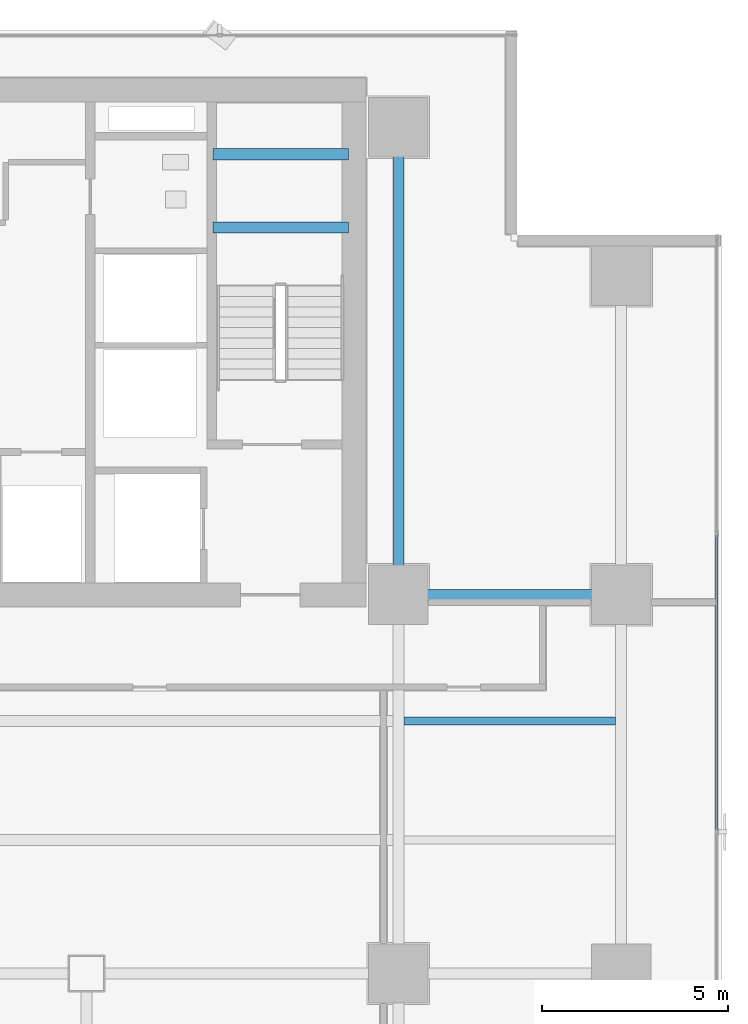
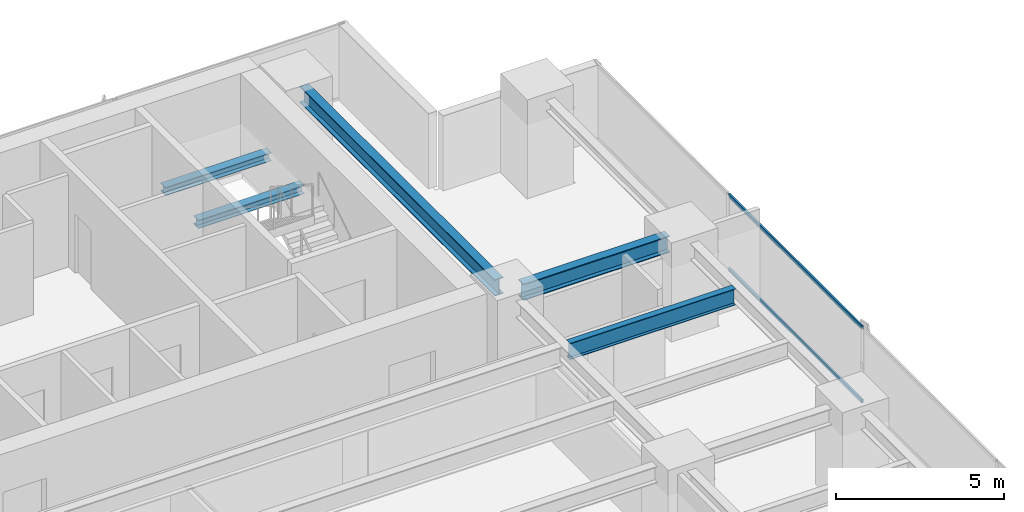
# One storey, part 22 of 34: 5 beams, 2 members, 1 element without a shape of its own.
"""IFC4 building model written with IfcOpenShell, lengths in metres."""

import ifcopenshell
import ifcopenshell.guid

model = None  # the IFC model being written
_history = None  # IfcOwnerHistory: only IFC2X3 demands one
_inside = {}  # id of a spatial element -> (the spatial element, [elements in it])
_under = {}  # id of a project, library or spatial element -> (it, [spatial elements below it])
_declared = {}  # id of a project -> (the project, [libraries it declares])
_typed = {}  # id of a type object -> (the type object, [elements of that type])
_made_of = {}  # id of a material, layer set ... -> (it, [elements and type objects made of it])


def new_model(schema):
    """Start an empty IFC model of exactly this schema.

    Asked for "IFC4X3", IfcOpenShell would pick the latest addendum, in which some entities
    have other attributes; the version numbers below select the first issue.
    IFC2X3 requires an IfcOwnerHistory on every rooted entity: one is made here for all.
    """
    global model, _history
    if schema == "IFC4X3":
        model = ifcopenshell.file(schema_version=(4, 3, 0, 0))
    else:
        model = ifcopenshell.file(schema=schema)
    _inside.clear()
    _under.clear()
    _declared.clear()
    _typed.clear()
    _made_of.clear()
    _history = None
    if model.schema == "IFC2X3":
        org = make("IfcOrganization", Name="unknown")
        user = make(
            "IfcPersonAndOrganization",
            ThePerson=make("IfcPerson", FamilyName="unknown"),
            TheOrganization=org,
        )
        app = make(
            "IfcApplication",
            ApplicationDeveloper=org,
            Version="unknown",
            ApplicationFullName="unknown",
            ApplicationIdentifier="unknown",
        )
        _history = make(
            "IfcOwnerHistory",
            OwningUser=user,
            OwningApplication=app,
            ChangeAction="ADDED",
            CreationDate=0,
        )
    return model


def make(cls, **values):
    """One entity of the class cls with the attributes given. An attribute that is None is left unset."""
    return model.create_entity(
        cls, **{name: value for name, value in values.items() if value is not None}
    )


def rooted(cls, **values):
    """An entity with a GlobalId (a new one), such as an element, a storey or a relation."""
    return make(cls, GlobalId=ifcopenshell.guid.new(), OwnerHistory=_history, **values)


def si_unit(unit_type, name, prefix=None):
    """IfcSIUnit, for example si_unit("LENGTHUNIT", "METRE", prefix="MILLI")."""
    return make("IfcSIUnit", UnitType=unit_type, Prefix=prefix, Name=name)


def assignment(units):
    """IfcUnitAssignment: the units of a project."""
    return None if units is None else make("IfcUnitAssignment", Units=units)


def point(xyz):
    """IfcCartesianPoint."""
    return None if xyz is None else make("IfcCartesianPoint", Coordinates=xyz)


def direction(xyz):
    """IfcDirection."""
    return None if xyz is None else make("IfcDirection", DirectionRatios=xyz)


def frame(location, z_axis=None, x_axis=None):
    """IfcAxis2Placement3D, a coordinate frame: its origin and axes. An axis left out is left unset."""
    return make(
        "IfcAxis2Placement3D",
        Location=point(location),
        Axis=direction(z_axis),
        RefDirection=direction(x_axis),
    )


def frame_2d(location, x_axis=None):
    """IfcAxis2Placement2D, a coordinate frame in the plane: its origin and x axis."""
    return make(
        "IfcAxis2Placement2D", Location=point(location), RefDirection=direction(x_axis)
    )


def origin():
    """The frame at (0, 0, 0) with its axes left unset."""
    return frame((0.0, 0.0, 0.0))


def origin_2d():
    """The frame at (0, 0) in the plane with its x axis left unset."""
    return frame_2d((0.0, 0.0))


def place(relative_to, where):
    """IfcLocalPlacement: puts the frame where relative to a parent placement (None: the world)."""
    return make(
        "IfcLocalPlacement", PlacementRelTo=relative_to, RelativePlacement=where
    )


def context(
    kind, dimensions, precision=None, world=None, true_north=None, identifier=None
):
    """IfcGeometricRepresentationContext, for example the 3D "Model" context."""
    return make(
        "IfcGeometricRepresentationContext",
        ContextIdentifier=identifier,
        ContextType=kind,
        CoordinateSpaceDimension=dimensions,
        Precision=precision,
        WorldCoordinateSystem=world,
        TrueNorth=true_north,
    )


def subcontext(parent, identifier, kind, view, scale=None):
    """IfcGeometricRepresentationSubContext, for example "Body" below "Model"."""
    return make(
        "IfcGeometricRepresentationSubContext",
        ContextIdentifier=identifier,
        ContextType=kind,
        ParentContext=parent,
        TargetScale=scale,
        TargetView=view,
    )


def project(units=None, contexts=None):
    """IfcProject with its units and contexts."""
    return rooted(
        "IfcProject",
        Name="project",
        RepresentationContexts=contexts,
        UnitsInContext=assignment(units),
    )


def spatial(cls, under=None, at=None, **own):
    """A site, building, storey or space (cls), placed at a placement, below another one or the project."""
    s = rooted(cls, ObjectPlacement=at, **own)
    if under is not None:
        _under.setdefault(under.id(), (under, []))[1].append(s)
    return s


def profile(cls, at=None, kind="AREA", **sizes):
    """A parametric profile (cls). Its sizes go by their IFC names, for example OverallWidth=200.0."""
    return make(cls, ProfileType=kind, Position=at, **sizes)


def hollow_rectangle(**sizes):
    """IfcRectangleHollowProfileDef."""
    return profile("IfcRectangleHollowProfileDef", **sizes)


def i_section(**sizes):
    """IfcIShapeProfileDef."""
    return profile("IfcIShapeProfileDef", **sizes)


def extrude(swept, where, along, depth):
    """IfcExtrudedAreaSolid: the profile swept, set in the frame where, extruded along a direction by depth."""
    return make(
        "IfcExtrudedAreaSolid",
        SweptArea=swept,
        Position=where,
        ExtrudedDirection=direction(along),
        Depth=depth,
    )


def shape(context_of_items, identifier, shape_type, items):
    """IfcShapeRepresentation: the items that make up one representation, for example the "Body"."""
    return make(
        "IfcShapeRepresentation",
        ContextOfItems=context_of_items,
        RepresentationIdentifier=identifier,
        RepresentationType=shape_type,
        Items=items,
    )


def source(mapping_origin, context_of_items, identifier, shape_type, items):
    """IfcRepresentationMap: a shape defined once, which mapped items show again and again."""
    return make(
        "IfcRepresentationMap",
        MappingOrigin=mapping_origin,
        MappedRepresentation=shape(context_of_items, identifier, shape_type, items),
    )


def transform(
    local_origin,
    x_axis=None,
    y_axis=None,
    z_axis=None,
    scale=None,
    scale2=None,
    scale3=None,
    uniform=True,
):
    """IfcCartesianTransformationOperator3D, or its non-uniform kind. x_axis, y_axis, z_axis: its Axis1, 2, 3."""
    if uniform:
        return make(
            "IfcCartesianTransformationOperator3D",
            Axis1=direction(x_axis),
            Axis2=direction(y_axis),
            LocalOrigin=point(local_origin),
            Scale=scale,
            Axis3=direction(z_axis),
        )
    return make(
        "IfcCartesianTransformationOperator3DnonUniform",
        Axis1=direction(x_axis),
        Axis2=direction(y_axis),
        LocalOrigin=point(local_origin),
        Scale=scale,
        Axis3=direction(z_axis),
        Scale2=scale2,
        Scale3=scale3,
    )


def mapped(mapping_source, mapping_target):
    """IfcMappedItem: shows the shape of a source again, moved by a transform."""
    return make(
        "IfcMappedItem", MappingSource=mapping_source, MappingTarget=mapping_target
    )


def material(Name=None, Category=None):
    """IfcMaterial."""
    return make("IfcMaterial", Name=Name, Category=Category)


def layer(
    of_material, thickness, ventilated=None, Name=None, Category=None, Priority=None
):
    """IfcMaterialLayer: one layer of a wall or slab, of a material (None: an air gap)."""
    return make(
        "IfcMaterialLayer",
        Material=of_material,
        LayerThickness=thickness,
        IsVentilated=ventilated,
        Name=Name,
        Category=Category,
        Priority=Priority,
    )


def layer_set(layers, Name=None):
    """IfcMaterialLayerSet."""
    return make("IfcMaterialLayerSet", MaterialLayers=layers, LayerSetName=Name)


def material_profile(
    of_material, cross_section, Name=None, Category=None, Priority=None
):
    """IfcMaterialProfile: a cross section and its material."""
    return make(
        "IfcMaterialProfile",
        Name=Name,
        Material=of_material,
        Profile=cross_section,
        Priority=Priority,
        Category=Category,
    )


def profile_set(profiles, Name=None, composite=None):
    """IfcMaterialProfileSet."""
    return make(
        "IfcMaterialProfileSet",
        Name=Name,
        MaterialProfiles=profiles,
        CompositeProfile=composite,
    )


def made_of(thing, what):
    """Note that an element or type object is made of a material, layer set ...; save() writes the relation."""
    if what is not None:
        _made_of.setdefault(what.id(), (what, []))[1].append(thing)
    return thing


def type_object(cls, material=None, **own):
    """A type object (cls), such as IfcWallType, which elements share."""
    return made_of(rooted(cls, **own), material)


def element(
    cls,
    number,
    at=None,
    inside=None,
    cuts=None,
    type_object=None,
    material=None,
    context=None,
    identifier="Body",
    shape_type=None,
    held_by="IfcProductDefinitionShape",
    body=None,
    shapes=None,
    **own,
):
    """One element of the class cls, such as IfcWall. Its Tag is "e" and its number.

    at: its placement. inside: the storey or other place that contains it. cuts: it is an
    opening in that element (IfcRelVoidsElement). A single representation is given by context,
    identifier, shape_type and body (its items); several are given by shapes. held_by: the class
    of the entity that holds the representations. save() writes the other relations.
    """
    e = rooted(cls, Tag="e%d" % number, ObjectPlacement=at, **own)
    if body is not None:
        shapes = [shape(context, identifier, shape_type, body)]
    if shapes is not None:
        e.Representation = make(held_by, Representations=shapes)
    if inside is not None:
        _inside.setdefault(inside.id(), (inside, []))[1].append(e)
    if cuts is not None:
        rooted(
            "IfcRelVoidsElement", RelatingBuildingElement=cuts, RelatedOpeningElement=e
        )
    if type_object is not None:
        _typed.setdefault(type_object.id(), (type_object, []))[1].append(e)
    return made_of(e, material)


def aggregate(whole, parts):
    """IfcRelAggregates: a whole, such as a stair, and the parts it consists of."""
    return rooted("IfcRelAggregates", RelatingObject=whole, RelatedObjects=parts)


def save(model, path):
    """Write the relations noted so far, then the file.

    IfcRelAggregates (storeys below a building ...), IfcRelContainedInSpatialStructure (elements
    in a storey), IfcRelDefinesByType, IfcRelAssociatesMaterial and IfcRelDeclares: one each for
    every whole, place, type object, material and project.
    """
    for whole, parts in _under.values():
        aggregate(whole, parts)
    for where, things in _inside.values():
        rooted(
            "IfcRelContainedInSpatialStructure",
            RelatedElements=things,
            RelatingStructure=where,
        )
    for kind, things in _typed.values():
        rooted("IfcRelDefinesByType", RelatedObjects=things, RelatingType=kind)
    for what, things in _made_of.values():
        rooted("IfcRelAssociatesMaterial", RelatedObjects=things, RelatingMaterial=what)
    for by, libraries in _declared.values():
        rooted("IfcRelDeclares", RelatingContext=by, RelatedDefinitions=libraries)
    model.write(path)


model = new_model("IFC4")

# Units and contexts
model_context = context("Model", 3, precision=1e-05, world=origin(), true_north=direction((0.0, 1.0)))
body_context = subcontext(model_context, "Body", "Model", "MODEL_VIEW")
ifc_project = project(units=[si_unit("LENGTHUNIT", "METRE"), si_unit("AREAUNIT", "SQUARE_METRE"), si_unit("VOLUMEUNIT", "CUBIC_METRE"), si_unit("PLANEANGLEUNIT", "RADIAN"), si_unit("MASSUNIT", "GRAM", prefix="KILO")], contexts=[model_context])

# Site, building, storey
site_placement = place(None, origin())
site = spatial("IfcSite", under=ifc_project, at=site_placement, CompositionType="ELEMENT")
building_placement = place(site_placement, origin())
building = spatial("IfcBuilding", under=site, at=building_placement, Name="Sumidabori Civic Tower", CompositionType="ELEMENT")
storey_placement = place(building_placement, frame((0.0, 0.0, 106.39990234375)))
storey = spatial("IfcBuildingStorey", under=building, at=storey_placement, Name="L27", CompositionType="ELEMENT", Elevation=106.39990234375)

# Beams
ifc_material_1 = material(Name="Steel SN490", Category="steel")
ifc_material_profile_1 = material_profile(ifc_material_1, i_section(OverallWidth=0.300048828125, OverallDepth=0.300048828125, WebThickness=0.010986328125, FlangeThickness=0.01904296875, at=origin_2d()), Name="HE 300 B")
ifc_profile_set_1 = profile_set([ifc_material_profile_1], Name="Steel SN490")
beam_type_1 = type_object("IfcBeamType", Name="BM-LDG-300", PredefinedType="BEAM", material=ifc_profile_set_1)
shared_shape_1 = source(origin(), body_context, "Body", "SweptSolid", [
    extrude(i_section(OverallWidth=0.300048828125, OverallDepth=0.300048828125, WebThickness=0.010986328125, FlangeThickness=0.01904296875, at=origin_2d()), origin(), (0.0, 0.0, 1.0), 3.64990234375),
])
for number, where, z_axis, x_axis, name in (
    (1, (11.800048828125, 20.09765625, 1.4501953125), (1.0, 0.0, 0.0), (0.0, 1.0, 0.0), "Stair ST-2 Landing Support Beam L27-1A"),
    (2, (11.800048828125, 22.069580078125, 1.4501953125), (1.0, 0.0, 0.0), (0.0, 1.0, 0.0), "Stair ST-2 Landing Trimmer Beam L27-1B"),
):
    element("IfcBeam", number, at=place(storey_placement, frame(where, z_axis=z_axis, x_axis=x_axis)), inside=storey, type_object=beam_type_1, Name=name, PredefinedType="BEAM", context=body_context, shape_type="MappedRepresentation", body=[
        mapped(shared_shape_1, transform((0.0, 0.0, 0.0), x_axis=(1.0, 0.0, 0.0), y_axis=(0.0, 1.0, 0.0), z_axis=(0.0, 0.0, 1.0), scale=1.0)),
    ])
ifc_material_profile_2 = material_profile(ifc_material_1, i_section(OverallWidth=0.300048828125, OverallDepth=0.60009765625, WebThickness=0.015380859375, FlangeThickness=0.030029296875, at=origin_2d()), Name="HE 600 B")
ifc_profile_set_2 = profile_set([ifc_material_profile_2], Name="Steel SN490")
beam_type_2 = type_object("IfcBeamType", Name="BM-GIRD-600", PredefinedType="BEAM", material=ifc_profile_set_2)
shared_shape_2 = source(origin(), body_context, "Body", "SweptSolid", [
    extrude(i_section(OverallWidth=0.300048828125, OverallDepth=0.60009765625, WebThickness=0.015380859375, FlangeThickness=0.030029296875, at=origin_2d()), origin(), (0.0, 0.0, 1.0), 5.0400390625),
])
beam_1_placement = place(storey_placement, frame((17.280029296875, 10.199951171875, 3.06005859375), z_axis=(1.0, 0.0, 0.0), x_axis=(0.0, 1.0, 0.0)))
element("IfcBeam", 3, at=beam_1_placement, inside=storey, type_object=beam_type_2, Name="Primary Girder L27 GX-20", PredefinedType="BEAM", context=body_context, shape_type="MappedRepresentation", body=[
    mapped(shared_shape_2, transform((0.0, 0.0, 0.0), x_axis=(1.0, 0.0, 0.0), y_axis=(0.0, 1.0, 0.0), z_axis=(0.0, 0.0, 1.0), scale=1.0)),
])
shared_shape_3 = source(origin(), body_context, "Body", "SweptSolid", [
    extrude(i_section(OverallWidth=0.300048828125, OverallDepth=0.60009765625, WebThickness=0.015380859375, FlangeThickness=0.030029296875, at=origin_2d()), origin(), (0.0, 0.0, 1.0), 11.64013671875),
])
beam_2_placement = place(storey_placement, frame((16.800048828125, 10.679931640625, 3.06005859375), z_axis=(0.0, 1.0, 0.0), x_axis=(-1.0, 0.0, 0.0)))
element("IfcBeam", 4, at=beam_2_placement, inside=storey, type_object=beam_type_2, Name="Primary Girder L27 GY-38", PredefinedType="BEAM", context=body_context, shape_type="MappedRepresentation", body=[
    mapped(shared_shape_3, transform((0.0, 0.0, 0.0), x_axis=(1.0, 0.0, 0.0), y_axis=(0.0, 1.0, 0.0), z_axis=(0.0, 0.0, 1.0), scale=1.0)),
])
ifc_material_profile_3 = material_profile(ifc_material_1, i_section(OverallWidth=0.219970703125, OverallDepth=0.60009765625, WebThickness=0.011962890625, FlangeThickness=0.01904296875, at=origin_2d()), Name="IPE 600")
ifc_profile_set_3 = profile_set([ifc_material_profile_3], Name="Steel SN490")
beam_type_3 = type_object("IfcBeamType", Name="BM-JST-600", PredefinedType="JOIST", material=ifc_profile_set_3)
shared_shape_4 = source(origin(), body_context, "Body", "SweptSolid", [
    extrude(i_section(OverallWidth=0.219970703125, OverallDepth=0.60009765625, WebThickness=0.011962890625, FlangeThickness=0.01904296875, at=origin_2d()), origin(), (0.0, 0.0, 1.0), 5.699951171875),
])
beam_3_placement = place(storey_placement, frame((16.949951171875, 6.800048828125, 3.06005859375), z_axis=(1.0, 0.0, 0.0), x_axis=(0.0, 1.0, 0.0)))
element("IfcBeam", 5, at=beam_3_placement, inside=storey, type_object=beam_type_3, Name="Outer Bay Floor Joist L27 JSTO-50", PredefinedType="JOIST", context=body_context, shape_type="MappedRepresentation", body=[
    mapped(shared_shape_4, transform((0.0, 0.0, 0.0), x_axis=(1.0, 0.0, 0.0), y_axis=(0.0, 1.0, 0.0), z_axis=(0.0, 0.0, 1.0), scale=1.0)),
])

# Curtain wall, members
ifc_material_2 = material(Name="Anodised Bronze Aluminium AW-6063-T6", Category="aluminium")
ifc_layer = layer(ifc_material_2, 0.179931640625, Name="Anodised Bronze Aluminium AW-6063-T6")
ifc_layer_set = layer_set([ifc_layer], Name="Anodised Bronze Aluminium AW-6063-T6")
curtain_wall_type = type_object("IfcCurtainWallType", Name="CW-SYS-3", PredefinedType="NOTDEFINED", material=ifc_layer_set)
curtain_wall_placement = place(storey_placement, origin())
curtain_wall = element("IfcCurtainWall", 6, at=curtain_wall_placement, inside=storey, type_object=curtain_wall_type, Name="Curtain Wall CW:L27:R04", PredefinedType="NOTDEFINED")
ifc_material_profile_4 = material_profile(ifc_material_2, hollow_rectangle(XDim=0.06005859375, YDim=0.1298828125, WallThickness=0.0048828125, at=origin_2d()), Name="ALU TRANSOM 130x60")
ifc_profile_set_4 = profile_set([ifc_material_profile_4], Name="Anodised Bronze Aluminium AW-6063-T6")
member_type = type_object("IfcMemberType", Name="CW-TRN-130", PredefinedType="USERDEFINED", material=ifc_profile_set_4)
shared_shape_5 = source(origin(), body_context, "Body", "SweptSolid", [
    extrude(hollow_rectangle(XDim=0.06005859375, YDim=0.1298828125, WallThickness=0.0048828125, at=origin_2d()), origin(), (0.0, 0.0, 1.0), 7.963134765625),
])
member_1_placement = place(storey_placement, frame((25.3798828125, 3.846435546875, 0.030029296875), z_axis=(0.0, 1.0, 0.0), x_axis=(-1.0, 0.0, 0.0)))
member_1 = element("IfcMember", 7, at=member_1_placement, type_object=member_type, Name="CW-3 transom 4.1", ObjectType="TRANSOM", PredefinedType="USERDEFINED", context=body_context, shape_type="MappedRepresentation", body=[
    mapped(shared_shape_5, transform((0.0, 0.0, 0.0), x_axis=(1.0, 0.0, 0.0), y_axis=(0.0, 1.0, 0.0), z_axis=(0.0, 0.0, 1.0), scale=1.0)),
])
member_2_placement = place(storey_placement, frame((25.3798828125, 3.846435546875, 2.710205078125), z_axis=(0.0, 1.0, 0.0), x_axis=(-1.0, 0.0, 0.0)))
member_2 = element("IfcMember", 8, at=member_2_placement, type_object=member_type, Name="CW-3 transom 4.2", ObjectType="TRANSOM", PredefinedType="USERDEFINED", context=body_context, shape_type="MappedRepresentation", body=[
    mapped(shared_shape_5, transform((0.0, 0.0, 0.0), x_axis=(1.0, 0.0, 0.0), y_axis=(0.0, 1.0, 0.0), z_axis=(0.0, 0.0, 1.0), scale=1.0)),
])
aggregate(curtain_wall, [member_1, member_2])

save(model, "model.ifc")
